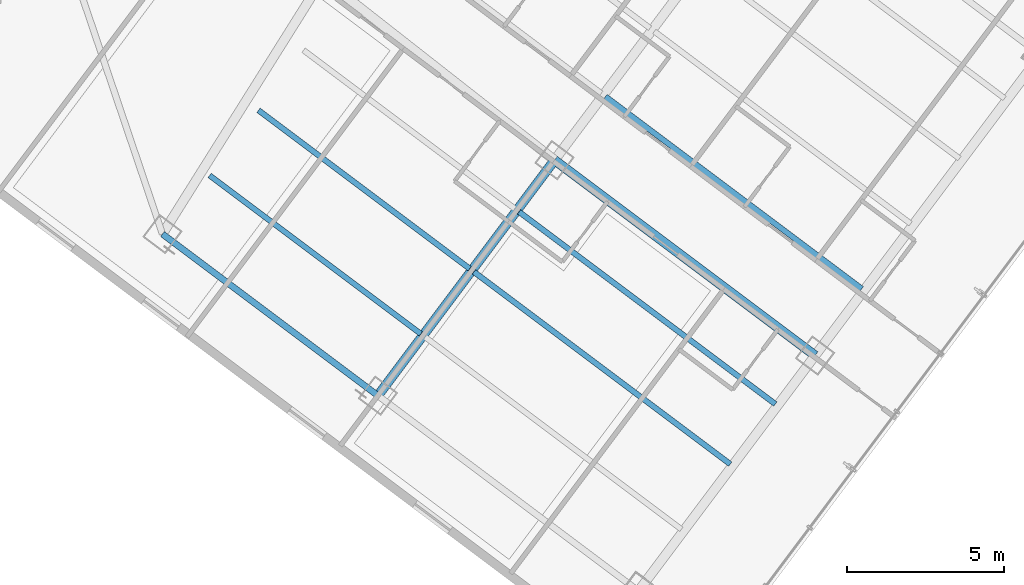
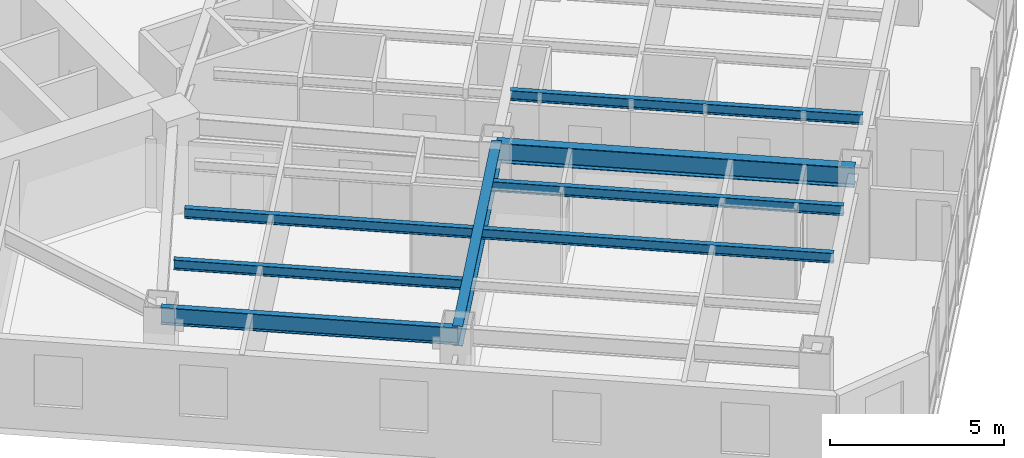
# One storey, part 7 of 31: 8 beams.
"""IFC4 building model written with IfcOpenShell, lengths in metres."""

import ifcopenshell
import ifcopenshell.guid

model = None  # the IFC model being written
_history = None  # IfcOwnerHistory: only IFC2X3 demands one
_inside = {}  # id of a spatial element -> (the spatial element, [elements in it])
_under = {}  # id of a project, library or spatial element -> (it, [spatial elements below it])
_declared = {}  # id of a project -> (the project, [libraries it declares])
_typed = {}  # id of a type object -> (the type object, [elements of that type])
_made_of = {}  # id of a material, layer set ... -> (it, [elements and type objects made of it])


def new_model(schema):
    """Start an empty IFC model of exactly this schema.

    Asked for "IFC4X3", IfcOpenShell would pick the latest addendum, in which some entities
    have other attributes; the version numbers below select the first issue.
    IFC2X3 requires an IfcOwnerHistory on every rooted entity: one is made here for all.
    """
    global model, _history
    if schema == "IFC4X3":
        model = ifcopenshell.file(schema_version=(4, 3, 0, 0))
    else:
        model = ifcopenshell.file(schema=schema)
    _inside.clear()
    _under.clear()
    _declared.clear()
    _typed.clear()
    _made_of.clear()
    _history = None
    if model.schema == "IFC2X3":
        org = make("IfcOrganization", Name="unknown")
        user = make(
            "IfcPersonAndOrganization",
            ThePerson=make("IfcPerson", FamilyName="unknown"),
            TheOrganization=org,
        )
        app = make(
            "IfcApplication",
            ApplicationDeveloper=org,
            Version="unknown",
            ApplicationFullName="unknown",
            ApplicationIdentifier="unknown",
        )
        _history = make(
            "IfcOwnerHistory",
            OwningUser=user,
            OwningApplication=app,
            ChangeAction="ADDED",
            CreationDate=0,
        )
    return model


def make(cls, **values):
    """One entity of the class cls with the attributes given. An attribute that is None is left unset."""
    return model.create_entity(
        cls, **{name: value for name, value in values.items() if value is not None}
    )


def rooted(cls, **values):
    """An entity with a GlobalId (a new one), such as an element, a storey or a relation."""
    return make(cls, GlobalId=ifcopenshell.guid.new(), OwnerHistory=_history, **values)


def si_unit(unit_type, name, prefix=None):
    """IfcSIUnit, for example si_unit("LENGTHUNIT", "METRE", prefix="MILLI")."""
    return make("IfcSIUnit", UnitType=unit_type, Prefix=prefix, Name=name)


def assignment(units):
    """IfcUnitAssignment: the units of a project."""
    return None if units is None else make("IfcUnitAssignment", Units=units)


def point(xyz):
    """IfcCartesianPoint."""
    return None if xyz is None else make("IfcCartesianPoint", Coordinates=xyz)


def direction(xyz):
    """IfcDirection."""
    return None if xyz is None else make("IfcDirection", DirectionRatios=xyz)


def frame(location, z_axis=None, x_axis=None):
    """IfcAxis2Placement3D, a coordinate frame: its origin and axes. An axis left out is left unset."""
    return make(
        "IfcAxis2Placement3D",
        Location=point(location),
        Axis=direction(z_axis),
        RefDirection=direction(x_axis),
    )


def frame_2d(location, x_axis=None):
    """IfcAxis2Placement2D, a coordinate frame in the plane: its origin and x axis."""
    return make(
        "IfcAxis2Placement2D", Location=point(location), RefDirection=direction(x_axis)
    )


def origin():
    """The frame at (0, 0, 0) with its axes left unset."""
    return frame((0.0, 0.0, 0.0))


def origin_2d():
    """The frame at (0, 0) in the plane with its x axis left unset."""
    return frame_2d((0.0, 0.0))


def place(relative_to, where):
    """IfcLocalPlacement: puts the frame where relative to a parent placement (None: the world)."""
    return make(
        "IfcLocalPlacement", PlacementRelTo=relative_to, RelativePlacement=where
    )


def context(
    kind, dimensions, precision=None, world=None, true_north=None, identifier=None
):
    """IfcGeometricRepresentationContext, for example the 3D "Model" context."""
    return make(
        "IfcGeometricRepresentationContext",
        ContextIdentifier=identifier,
        ContextType=kind,
        CoordinateSpaceDimension=dimensions,
        Precision=precision,
        WorldCoordinateSystem=world,
        TrueNorth=true_north,
    )


def subcontext(parent, identifier, kind, view, scale=None):
    """IfcGeometricRepresentationSubContext, for example "Body" below "Model"."""
    return make(
        "IfcGeometricRepresentationSubContext",
        ContextIdentifier=identifier,
        ContextType=kind,
        ParentContext=parent,
        TargetScale=scale,
        TargetView=view,
    )


def project(units=None, contexts=None):
    """IfcProject with its units and contexts."""
    return rooted(
        "IfcProject",
        Name="project",
        RepresentationContexts=contexts,
        UnitsInContext=assignment(units),
    )


def spatial(cls, under=None, at=None, **own):
    """A site, building, storey or space (cls), placed at a placement, below another one or the project."""
    s = rooted(cls, ObjectPlacement=at, **own)
    if under is not None:
        _under.setdefault(under.id(), (under, []))[1].append(s)
    return s


def profile(cls, at=None, kind="AREA", **sizes):
    """A parametric profile (cls). Its sizes go by their IFC names, for example OverallWidth=200.0."""
    return make(cls, ProfileType=kind, Position=at, **sizes)


def i_section(**sizes):
    """IfcIShapeProfileDef."""
    return profile("IfcIShapeProfileDef", **sizes)


def extrude(swept, where, along, depth):
    """IfcExtrudedAreaSolid: the profile swept, set in the frame where, extruded along a direction by depth."""
    return make(
        "IfcExtrudedAreaSolid",
        SweptArea=swept,
        Position=where,
        ExtrudedDirection=direction(along),
        Depth=depth,
    )


def shape(context_of_items, identifier, shape_type, items):
    """IfcShapeRepresentation: the items that make up one representation, for example the "Body"."""
    return make(
        "IfcShapeRepresentation",
        ContextOfItems=context_of_items,
        RepresentationIdentifier=identifier,
        RepresentationType=shape_type,
        Items=items,
    )


def material(Name=None, Category=None):
    """IfcMaterial."""
    return make("IfcMaterial", Name=Name, Category=Category)


def material_profile(
    of_material, cross_section, Name=None, Category=None, Priority=None
):
    """IfcMaterialProfile: a cross section and its material."""
    return make(
        "IfcMaterialProfile",
        Name=Name,
        Material=of_material,
        Profile=cross_section,
        Priority=Priority,
        Category=Category,
    )


def profile_set(profiles, Name=None, composite=None):
    """IfcMaterialProfileSet."""
    return make(
        "IfcMaterialProfileSet",
        Name=Name,
        MaterialProfiles=profiles,
        CompositeProfile=composite,
    )


def made_of(thing, what):
    """Note that an element or type object is made of a material, layer set ...; save() writes the relation."""
    if what is not None:
        _made_of.setdefault(what.id(), (what, []))[1].append(thing)
    return thing


def type_object(cls, material=None, **own):
    """A type object (cls), such as IfcWallType, which elements share."""
    return made_of(rooted(cls, **own), material)


def element(
    cls,
    number,
    at=None,
    inside=None,
    cuts=None,
    type_object=None,
    material=None,
    context=None,
    identifier="Body",
    shape_type=None,
    held_by="IfcProductDefinitionShape",
    body=None,
    shapes=None,
    **own,
):
    """One element of the class cls, such as IfcWall. Its Tag is "e" and its number.

    at: its placement. inside: the storey or other place that contains it. cuts: it is an
    opening in that element (IfcRelVoidsElement). A single representation is given by context,
    identifier, shape_type and body (its items); several are given by shapes. held_by: the class
    of the entity that holds the representations. save() writes the other relations.
    """
    e = rooted(cls, Tag="e%d" % number, ObjectPlacement=at, **own)
    if body is not None:
        shapes = [shape(context, identifier, shape_type, body)]
    if shapes is not None:
        e.Representation = make(held_by, Representations=shapes)
    if inside is not None:
        _inside.setdefault(inside.id(), (inside, []))[1].append(e)
    if cuts is not None:
        rooted(
            "IfcRelVoidsElement", RelatingBuildingElement=cuts, RelatedOpeningElement=e
        )
    if type_object is not None:
        _typed.setdefault(type_object.id(), (type_object, []))[1].append(e)
    return made_of(e, material)


def aggregate(whole, parts):
    """IfcRelAggregates: a whole, such as a stair, and the parts it consists of."""
    return rooted("IfcRelAggregates", RelatingObject=whole, RelatedObjects=parts)


def save(model, path):
    """Write the relations noted so far, then the file.

    IfcRelAggregates (storeys below a building ...), IfcRelContainedInSpatialStructure (elements
    in a storey), IfcRelDefinesByType, IfcRelAssociatesMaterial and IfcRelDeclares: one each for
    every whole, place, type object, material and project.
    """
    for whole, parts in _under.values():
        aggregate(whole, parts)
    for where, things in _inside.values():
        rooted(
            "IfcRelContainedInSpatialStructure",
            RelatedElements=things,
            RelatingStructure=where,
        )
    for kind, things in _typed.values():
        rooted("IfcRelDefinesByType", RelatedObjects=things, RelatingType=kind)
    for what, things in _made_of.values():
        rooted("IfcRelAssociatesMaterial", RelatedObjects=things, RelatingMaterial=what)
    for by, libraries in _declared.values():
        rooted("IfcRelDeclares", RelatingContext=by, RelatedDefinitions=libraries)
    model.write(path)


model = new_model("IFC4")

# Units and contexts
model_context = context("Model", 3, precision=1e-05, world=origin(), true_north=direction((0.0, 1.0)))
body_context = subcontext(model_context, "Body", "Model", "MODEL_VIEW")
ifc_project = project(units=[si_unit("LENGTHUNIT", "METRE"), si_unit("AREAUNIT", "SQUARE_METRE"), si_unit("VOLUMEUNIT", "CUBIC_METRE"), si_unit("PLANEANGLEUNIT", "RADIAN"), si_unit("MASSUNIT", "GRAM", prefix="KILO")], contexts=[model_context])

# Site, building, storey
site_placement = place(None, origin())
site = spatial("IfcSite", under=ifc_project, at=site_placement, CompositionType="ELEMENT")
building_placement = place(site_placement, origin())
building = spatial("IfcBuilding", under=site, at=building_placement, Name="Hatsunagi Terrace Concourse", CompositionType="ELEMENT")
storey_placement = place(building_placement, frame((0.0, 0.0, 81.300048828125)))
storey = spatial("IfcBuildingStorey", under=building, at=storey_placement, Name="L21", CompositionType="ELEMENT", Elevation=81.300048828125)

# Beams
ifc_material_1 = material(Name="Steel SN490B", Category="steel")
ifc_material_profile_1 = material_profile(ifc_material_1, i_section(OverallWidth=0.300048828125, OverallDepth=0.699951171875, WebThickness=0.012939453125, FlangeThickness=0.02392578125, FilletRadius=0.02197265625, at=origin_2d()), Name="H-700x300x13x24")
ifc_profile_set_1 = profile_set([ifc_material_profile_1], Name="Steel SN490B")
beam_type_1 = type_object("IfcBeamType", Name="HotelFloorGirder_H_700x300", PredefinedType="BEAM", material=ifc_profile_set_1)
beam_1_placement = place(storey_placement, frame((45.56005859375, 10.8798828125, 2.780029296875), z_axis=(0.599991688754, 0.800006233367, 0.0), x_axis=(-0.800006233367, 0.599991688754, 0.0)))
element("IfcBeam", 1, at=beam_1_placement, inside=storey, type_object=beam_type_1, Name="Beam G-04 BM-L21-SET-2A", PredefinedType="BEAM", context=body_context, shape_type="SweptSolid", body=[
    extrude(i_section(OverallWidth=0.300048828125, OverallDepth=0.699951171875, WebThickness=0.012939453125, FlangeThickness=0.02392578125, FilletRadius=0.02197265625, at=origin_2d()), origin(), (0.0, 0.0, 1.0), 9.39990234375),
])
beam_2_placement = place(storey_placement, frame((51.199951171875, 18.39990234375, 2.780029296875), z_axis=(0.800002816985, -0.599996244001, 0.0), x_axis=(0.599996244001, 0.800002816985, 0.0)))
element("IfcBeam", 2, at=beam_2_placement, inside=storey, type_object=beam_type_1, Name="Beam G-04 BM-L21-SE-M3", PredefinedType="BEAM", context=body_context, shape_type="SweptSolid", body=[
    extrude(i_section(OverallWidth=0.300048828125, OverallDepth=0.699951171875, WebThickness=0.012939453125, FlangeThickness=0.02392578125, FilletRadius=0.02197265625, at=origin_2d()), origin(), (0.0, 0.0, 1.0), 10.400146484375),
])
ifc_material_2 = material(Name="Steel SN490B", Category="steel")
ifc_material_profile_2 = material_profile(ifc_material_2, i_section(OverallWidth=0.175048828125, OverallDepth=0.35009765625, WebThickness=0.007080078125, FlangeThickness=0.010986328125, FilletRadius=0.012939453125, at=origin_2d()), Name="H-350x175x7x11")
ifc_profile_set_2 = profile_set([ifc_material_profile_2], Name="Steel SN490B")
beam_type_2 = type_object("IfcBeamType", Name="HotelJoist_H_350x175", PredefinedType="JOIST", material=ifc_profile_set_2)
for number, where, z_axis, x_axis, name in (
    (3, (40.18798828125, 17.908935546875, 2.954833984375), (0.800003475366, -0.59999536615, 0.0), (0.59999536615, 0.800003475366, 0.0), "Beam J-02 J-L21-SE-2-46"),
    (4, (41.748046875, 19.989013671875, 2.954833984375), (0.799989573921, -0.600013901187, 0.0), (0.600013901187, 0.799989573921, 0.0), "Beam J-02 J-L21-SE-2-72"),
):
    element("IfcBeam", number, at=place(storey_placement, frame(where, z_axis=z_axis, x_axis=x_axis)), inside=storey, type_object=beam_type_2, Name=name, PredefinedType="JOIST", context=body_context, shape_type="SweptSolid", body=[
        extrude(i_section(OverallWidth=0.175048828125, OverallDepth=0.35009765625, WebThickness=0.007080078125, FlangeThickness=0.010986328125, FilletRadius=0.012939453125, at=origin_2d()), origin(), (0.0, 0.0, 1.0), 8.429931640625),
    ])
beam_3_placement = place(storey_placement, frame((48.6279296875, 14.8291015625, 2.954833984375), z_axis=(0.799994272423, -0.600007636694, 0.0), x_axis=(0.600007636694, 0.799994272423, 0.0)))
element("IfcBeam", 5, at=beam_3_placement, inside=storey, type_object=beam_type_2, Name="Beam J-02 J-L21-SE-3-72", PredefinedType="JOIST", context=body_context, shape_type="SweptSolid", body=[
    extrude(i_section(OverallWidth=0.175048828125, OverallDepth=0.35009765625, WebThickness=0.007080078125, FlangeThickness=0.010986328125, FilletRadius=0.012939453125, at=origin_2d()), origin(), (0.0, 0.0, 1.0), 10.230224609375),
])
beam_4_placement = place(storey_placement, frame((50.068115234375, 16.7490234375, 2.954833984375), z_axis=(0.799997136125, -0.600003818481, 0.0), x_axis=(0.600003818481, 0.799997136125, 0.0)))
element("IfcBeam", 6, at=beam_4_placement, inside=storey, type_object=beam_type_2, Name="Beam J-02 J-L21-SE-3-96", PredefinedType="JOIST", context=body_context, shape_type="SweptSolid", body=[
    extrude(i_section(OverallWidth=0.175048828125, OverallDepth=0.35009765625, WebThickness=0.007080078125, FlangeThickness=0.010986328125, FilletRadius=0.012939453125, at=origin_2d()), origin(), (0.0, 0.0, 1.0), 10.229736328125),
])
beam_5_placement = place(storey_placement, frame((52.827880859375, 20.428955078125, 2.954833984375), z_axis=(0.800005727586, -0.599992363142, 0.0), x_axis=(0.599992363142, 0.800005727586, 0.0)))
element("IfcBeam", 7, at=beam_5_placement, inside=storey, type_object=beam_type_2, Name="Beam J-02 J-L21-SE-3-142", PredefinedType="JOIST", context=body_context, shape_type="SweptSolid", body=[
    extrude(i_section(OverallWidth=0.175048828125, OverallDepth=0.35009765625, WebThickness=0.007080078125, FlangeThickness=0.010986328125, FilletRadius=0.012939453125, at=origin_2d()), origin(), (0.0, 0.0, 1.0), 10.22998046875),
])
ifc_material_3 = material(Name="Steel SN490B", Category="steel")
ifc_material_profile_3 = material_profile(ifc_material_3, i_section(OverallWidth=0.199951171875, OverallDepth=0.60009765625, WebThickness=0.010986328125, FlangeThickness=0.01708984375, FilletRadius=0.01806640625, at=origin_2d()), Name="H-600x200x11x17")
ifc_profile_set_3 = profile_set([ifc_material_profile_3], Name="Steel SN490B")
beam_type_3 = type_object("IfcBeamType", Name="PerimeterSpandrel_H_600x200", PredefinedType="SPANDREL", material=ifc_profile_set_3)
beam_6_placement = place(storey_placement, frame((38.679931640625, 16.0400390625, 2.829833984375), z_axis=(0.799996593451, -0.600004542038, 0.0), x_axis=(0.600004542038, 0.799996593451, 0.0)))
element("IfcBeam", 8, at=beam_6_placement, inside=storey, type_object=beam_type_3, Name="Beam SP-01 BM-L21-SE-SW2", PredefinedType="SPANDREL", context=body_context, shape_type="SweptSolid", body=[
    extrude(i_section(OverallWidth=0.199951171875, OverallDepth=0.60009765625, WebThickness=0.010986328125, FlangeThickness=0.01708984375, FilletRadius=0.01806640625, at=origin_2d()), origin(), (0.0, 0.0, 1.0), 8.60009765625),
])

save(model, "model.ifc")
